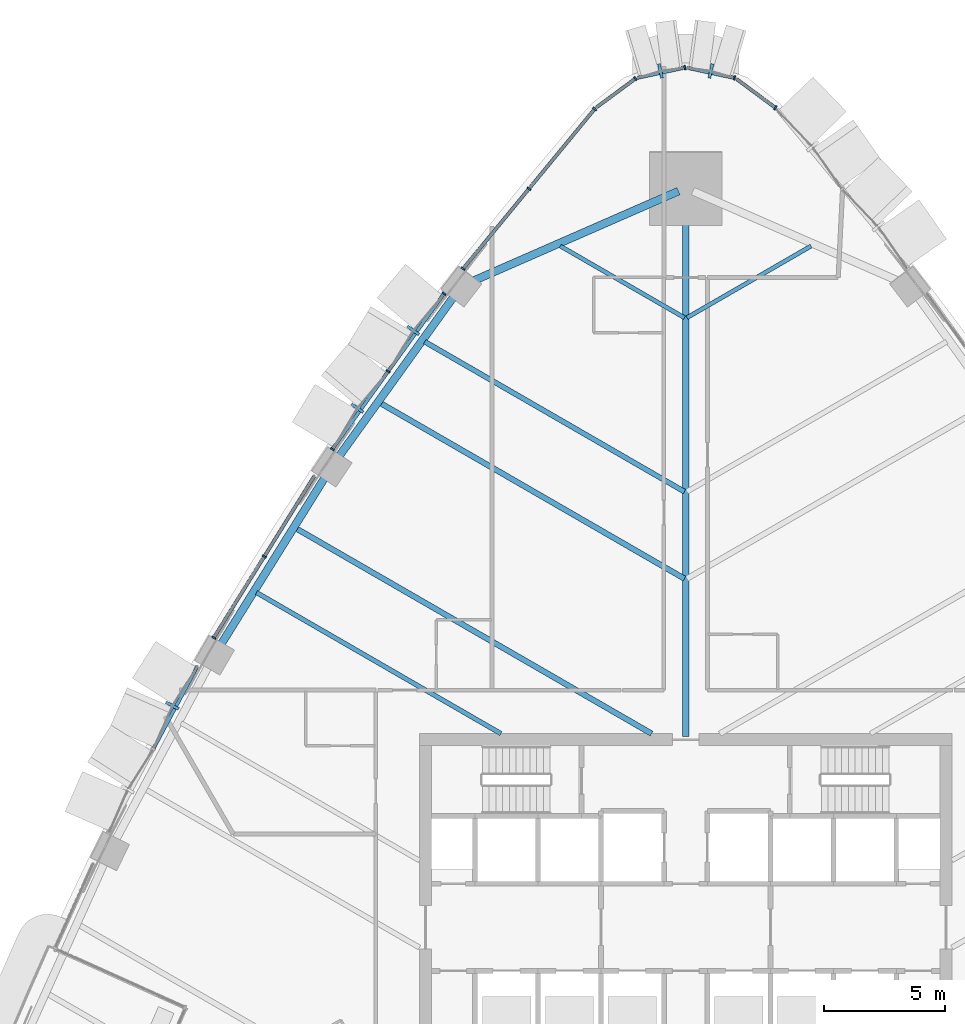
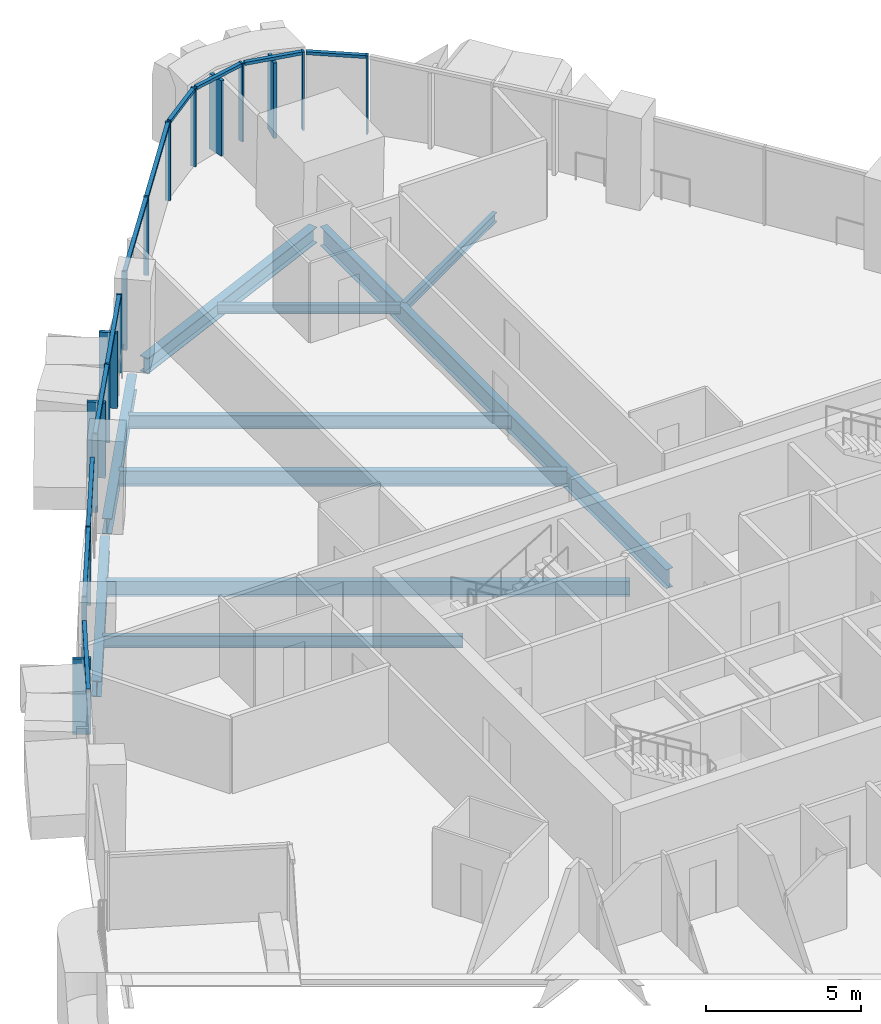
# One storey, part 6 of 22: 28 members, 10 beams, 8 elements without a shape of their own.
"""IFC4 building model written with IfcOpenShell, lengths in metres."""

from ifc_helpers import new_model, si_unit, direction, frame, origin, origin_2d, place, context, subcontext, project, spatial, rectangle, i_section, extrude, material, layer, layer_set, material_profile, profile_set, type_object, element, aggregate, save


model = new_model("IFC4")

# Units and contexts
model_context = context("Model", 3, precision=1e-05, world=origin(), true_north=direction((0.0, 1.0)))
body_context = subcontext(model_context, "Body", "Model", "MODEL_VIEW")
ifc_project = project(units=[si_unit("LENGTHUNIT", "METRE"), si_unit("AREAUNIT", "SQUARE_METRE"), si_unit("VOLUMEUNIT", "CUBIC_METRE"), si_unit("PLANEANGLEUNIT", "RADIAN"), si_unit("MASSUNIT", "GRAM", prefix="KILO")], contexts=[model_context])

# Site, building, storey
site_placement = place(None, origin())
site = spatial("IfcSite", under=ifc_project, at=site_placement, CompositionType="ELEMENT")
building_placement = place(site_placement, origin())
building = spatial("IfcBuilding", under=site, at=building_placement, Name="Sierra Prisma Convention Tower", CompositionType="ELEMENT")
storey_placement = place(building_placement, frame((0.0, 0.0, 73.89990234375)))
storey = spatial("IfcBuildingStorey", under=building, at=storey_placement, Name="L14", CompositionType="ELEMENT", Elevation=73.89990234375)

# Curtain wall, member
ifc_material_1 = material(Name="Aluminium and glass curtain wall", Category="aluminium")
ifc_layer_1 = layer(ifc_material_1, 0.179931640625)
ifc_layer_set_1 = layer_set([ifc_layer_1], Name="CW-2 Faceted crystal curtain wall")
curtain_wall_type_1 = type_object("IfcCurtainWallType", Name="CW-2 Faceted crystal curtain wall", PredefinedType="NOTDEFINED", material=ifc_layer_set_1)
curtain_wall_1_placement = place(storey_placement, origin())
curtain_wall_1 = element("IfcCurtainWall", 1, at=curtain_wall_1_placement, inside=storey, type_object=curtain_wall_type_1, Name="CW-2 N2 L14", PredefinedType="NOTDEFINED")
ifc_material_2 = material(Name="Aluminium 6063-T6 bronze anodised", Category="aluminium")
ifc_material_profile_1 = material_profile(ifc_material_2, rectangle(XDim=0.1201171875, YDim=0.60009765625, at=origin_2d()), Name="ALU RIDGE BLADE 120x600")
ifc_profile_set_1 = profile_set([ifc_material_profile_1], Name="Aluminium 6063-T6 bronze anodised")
member_type_1 = type_object("IfcMemberType", Name="CW hip bronze", PredefinedType="MULLION", material=ifc_profile_set_1)
member_1_placement = place(storey_placement, frame((1.041015625, 35.37451171875, 0.0), z_axis=(0.0, 0.0, 1.0), x_axis=(-0.97758007366, 0.210564003529, 0.0)))
member_1 = element("IfcMember", 2, at=member_1_placement, type_object=member_type_1, Name="CW-2 ridge N2.1", PredefinedType="MULLION", context=body_context, shape_type="SweptSolid", body=[
    extrude(rectangle(XDim=0.1201171875, YDim=0.60009765625, at=origin_2d()), origin(), (0.0, 0.0, 1.0), 2.97998046875),
])

curtain_wall_2_placement = place(storey_placement, origin())
curtain_wall_2 = element("IfcCurtainWall", 3, at=curtain_wall_2_placement, inside=storey, type_object=curtain_wall_type_1, Name="CW-2 N3 L14", PredefinedType="NOTDEFINED")
member_2_placement = place(storey_placement, frame((-1.041015625, 35.37451171875, 0.0), z_axis=(0.0, 0.0, 1.0), x_axis=(-0.97758007366, -0.210564003529, 0.0)))
member_2 = element("IfcMember", 4, at=member_2_placement, type_object=member_type_1, Name="CW-2 ridge N3.1", PredefinedType="MULLION", context=body_context, shape_type="SweptSolid", body=[
    extrude(rectangle(XDim=0.1201171875, YDim=0.60009765625, at=origin_2d()), origin(), (0.0, 0.0, 1.0), 2.97998046875),
])

# Curtain wall, members
curtain_wall_3_placement = place(storey_placement, origin())
curtain_wall_3 = element("IfcCurtainWall", 5, at=curtain_wall_3_placement, inside=storey, type_object=curtain_wall_type_1, Name="CW-2 NW2 L14", PredefinedType="NOTDEFINED")
member_3_placement = place(storey_placement, frame((-11.261474609375, 24.66064453125, 0.0), z_axis=(0.0, 0.0, 1.0), x_axis=(-0.583173599233, -0.812347556873, 0.0)))
member_3 = element("IfcMember", 6, at=member_3_placement, type_object=member_type_1, Name="CW-2 ridge NW2.1", PredefinedType="MULLION", context=body_context, shape_type="SweptSolid", body=[
    extrude(rectangle(XDim=0.1201171875, YDim=0.60009765625, at=origin_2d()), origin(), (0.0, 0.0, 1.0), 2.97998046875),
])
member_4_placement = place(storey_placement, frame((-13.56689453125, 21.44921875, 0.0), z_axis=(0.0, 0.0, 1.0), x_axis=(-0.583173599233, -0.812347556873, 0.0)))
member_4 = element("IfcMember", 7, at=member_4_placement, type_object=member_type_1, Name="CW-2 ridge NW2.2", PredefinedType="MULLION", context=body_context, shape_type="SweptSolid", body=[
    extrude(rectangle(XDim=0.1201171875, YDim=0.60009765625, at=origin_2d()), origin(), (0.0, 0.0, 1.0), 2.97998046875),
])

# Curtain wall, member
curtain_wall_4_placement = place(storey_placement, origin())
curtain_wall_4 = element("IfcCurtainWall", 8, at=curtain_wall_4_placement, inside=storey, type_object=curtain_wall_type_1, Name="CW-2 NW4 L14", PredefinedType="NOTDEFINED")
member_5_placement = place(storey_placement, frame((-21.210693359375, 9.15869140625, 0.0), z_axis=(0.0, 0.0, 1.0), x_axis=(-0.470524141145, -0.882387121733, 0.0)))
member_5 = element("IfcMember", 9, at=member_5_placement, type_object=member_type_1, Name="CW-2 ridge NW4.1", PredefinedType="MULLION", context=body_context, shape_type="SweptSolid", body=[
    extrude(rectangle(XDim=0.1201171875, YDim=0.60009765625, at=origin_2d()), origin(), (0.0, 0.0, 1.0), 2.97998046875),
])

ifc_material_3 = material(Name="Aluminium and glass curtain wall", Category="aluminium")
ifc_layer_2 = layer(ifc_material_3, 0.179931640625)
ifc_layer_set_2 = layer_set([ifc_layer_2], Name="CW-1 Plain shaft curtain wall")
curtain_wall_type_2 = type_object("IfcCurtainWallType", Name="CW-1 Plain shaft curtain wall", PredefinedType="NOTDEFINED", material=ifc_layer_set_2)
curtain_wall_5_placement = place(storey_placement, origin())
curtain_wall_5 = element("IfcCurtainWall", 10, at=curtain_wall_5_placement, inside=storey, type_object=curtain_wall_type_2, Name="CW-1 N1 L14", PredefinedType="NOTDEFINED")
ifc_material_4 = material(Name="Aluminium 6063-T6 bronze anodised", Category="aluminium")
ifc_material_profile_2 = material_profile(ifc_material_4, rectangle(XDim=0.179931640625, YDim=0.070068359375, at=origin_2d()), Name="ALU MULLION 70x180")
ifc_profile_set_2 = profile_set([ifc_material_profile_2], Name="Aluminium 6063-T6 bronze anodised")
member_type_2 = type_object("IfcMemberType", Name="CW mullion bronze", PredefinedType="MULLION", material=ifc_profile_set_2)
member_6_placement = place(storey_placement, frame((3.70751953125, 33.853271484375, 0.0), z_axis=(0.0, 0.0, 1.0), x_axis=(-0.594348737591, -0.804207422326, 0.0)))
member_6 = element("IfcMember", 11, at=member_6_placement, type_object=member_type_2, Name="CW-1 mullion N1.1", PredefinedType="MULLION", context=body_context, shape_type="SweptSolid", body=[
    extrude(rectangle(XDim=0.179931640625, YDim=0.070068359375, at=origin_2d()), origin(), (0.0, 0.0, 1.0), 3.10009765625),
])

# Member
member_7_placement = place(storey_placement, frame((2.015380859375, 35.0859375, 0.0), z_axis=(0.0, 0.0, 1.0), x_axis=(-0.210564003529, -0.97758007366, 0.0)))
member_7 = element("IfcMember", 12, at=member_7_placement, type_object=member_type_2, Name="CW-1 mullion N2.1", PredefinedType="MULLION", context=body_context, shape_type="SweptSolid", body=[
    extrude(rectangle(XDim=0.179931640625, YDim=0.070068359375, at=origin_2d()), origin(), (0.0, 0.0, 1.0), 3.10009765625),
])

member_8_placement = place(storey_placement, frame((-0.0341796875, 35.5126953125, 0.0), z_axis=(0.0, 0.0, 1.0), x_axis=(0.210564003529, -0.97758007366, 0.0)))
member_8 = element("IfcMember", 13, at=member_8_placement, type_object=member_type_2, Name="CW-1 mullion N3.1", PredefinedType="MULLION", context=body_context, shape_type="SweptSolid", body=[
    extrude(rectangle(XDim=0.179931640625, YDim=0.070068359375, at=origin_2d()), origin(), (0.0, 0.0, 1.0), 3.10009765625),
])

# Curtain wall, member
curtain_wall_6_placement = place(storey_placement, origin())
curtain_wall_6 = element("IfcCurtainWall", 14, at=curtain_wall_6_placement, inside=storey, type_object=curtain_wall_type_2, Name="CW-1 N4 L14", PredefinedType="NOTDEFINED")
member_9_placement = place(storey_placement, frame((-2.07763671875, 35.057861328125, 0.0), z_axis=(0.0, 0.0, 1.0), x_axis=(0.594348737591, -0.804207422326, 0.0)))
member_9 = element("IfcMember", 15, at=member_9_placement, type_object=member_type_2, Name="CW-1 mullion N4.1", PredefinedType="MULLION", context=body_context, shape_type="SweptSolid", body=[
    extrude(rectangle(XDim=0.179931640625, YDim=0.070068359375, at=origin_2d()), origin(), (0.0, 0.0, 1.0), 3.10009765625),
])

# Curtain wall, members
curtain_wall_7_placement = place(storey_placement, origin())
curtain_wall_7 = element("IfcCurtainWall", 16, at=curtain_wall_7_placement, inside=storey, type_object=curtain_wall_type_2, Name="CW-1 NW1 L14", PredefinedType="NOTDEFINED")
member_10_placement = place(storey_placement, frame((-3.758056640625, 33.805419921875, 0.0), z_axis=(0.0, 0.0, 1.0), x_axis=(0.771880536077, -0.635767597496, 0.0)))
member_10 = element("IfcMember", 17, at=member_10_placement, type_object=member_type_2, Name="CW-1 mullion NW1.1", PredefinedType="MULLION", context=body_context, shape_type="SweptSolid", body=[
    extrude(rectangle(XDim=0.179931640625, YDim=0.070068359375, at=origin_2d()), origin(), (0.0, 0.0, 1.0), 3.10009765625),
])
member_11_placement = place(storey_placement, frame((-6.4765625, 30.504638671875, 0.0), z_axis=(0.0, 0.0, 1.0), x_axis=(0.771880536077, -0.635767597496, 0.0)))
member_11 = element("IfcMember", 18, at=member_11_placement, type_object=member_type_2, Name="CW-1 mullion NW1.2", PredefinedType="MULLION", context=body_context, shape_type="SweptSolid", body=[
    extrude(rectangle(XDim=0.179931640625, YDim=0.070068359375, at=origin_2d()), origin(), (0.0, 0.0, 1.0), 3.10009765625),
])
member_12_placement = place(storey_placement, frame((-9.1953125, 27.2041015625, 0.0), z_axis=(0.0, 0.0, 1.0), x_axis=(0.771880536077, -0.635767597496, 0.0)))
member_12 = element("IfcMember", 19, at=member_12_placement, type_object=member_type_2, Name="CW-1 mullion NW1.3", PredefinedType="MULLION", context=body_context, shape_type="SweptSolid", body=[
    extrude(rectangle(XDim=0.179931640625, YDim=0.070068359375, at=origin_2d()), origin(), (0.0, 0.0, 1.0), 3.10009765625),
])

# Member
member_13_placement = place(storey_placement, frame((-9.984619140625, 26.17724609375, 0.0), z_axis=(0.0, 0.0, 1.0), x_axis=(0.812347556873, -0.583173599233, 0.0)))
member_13 = element("IfcMember", 20, at=member_13_placement, type_object=member_type_2, Name="CW-1 mullion NW2.1", PredefinedType="MULLION", context=body_context, shape_type="SweptSolid", body=[
    extrude(rectangle(XDim=0.179931640625, YDim=0.070068359375, at=origin_2d()), origin(), (0.0, 0.0, 1.0), 3.10009765625),
])

member_14_placement = place(storey_placement, frame((-12.2900390625, 22.9658203125, 0.0), z_axis=(0.0, 0.0, 1.0), x_axis=(0.812347556873, -0.583173599233, 0.0)))
member_14 = element("IfcMember", 21, at=member_14_placement, type_object=member_type_2, Name="CW-1 mullion NW2.2", PredefinedType="MULLION", context=body_context, shape_type="SweptSolid", body=[
    extrude(rectangle(XDim=0.179931640625, YDim=0.070068359375, at=origin_2d()), origin(), (0.0, 0.0, 1.0), 3.10009765625),
])

member_15_placement = place(storey_placement, frame((-14.595703125, 19.754150390625, 0.0), z_axis=(0.0, 0.0, 1.0), x_axis=(0.812347556873, -0.583173599233, 0.0)))
member_15 = element("IfcMember", 22, at=member_15_placement, type_object=member_type_2, Name="CW-1 mullion NW2.3", PredefinedType="MULLION", context=body_context, shape_type="SweptSolid", body=[
    extrude(rectangle(XDim=0.179931640625, YDim=0.070068359375, at=origin_2d()), origin(), (0.0, 0.0, 1.0), 3.10009765625),
])

# Curtain wall, members
curtain_wall_8_placement = place(storey_placement, origin())
curtain_wall_8 = element("IfcCurtainWall", 23, at=curtain_wall_8_placement, inside=storey, type_object=curtain_wall_type_2, Name="CW-1 NW3 L14", PredefinedType="NOTDEFINED")
member_16_placement = place(storey_placement, frame((-17.40478515625, 15.3193359375, 0.0), z_axis=(0.0, 0.0, 1.0), x_axis=(0.849237235888, -0.528011474479, 0.0)))
member_16 = element("IfcMember", 24, at=member_16_placement, type_object=member_type_2, Name="CW-1 mullion NW3.2", PredefinedType="MULLION", context=body_context, shape_type="SweptSolid", body=[
    extrude(rectangle(XDim=0.179931640625, YDim=0.070068359375, at=origin_2d()), origin(), (0.0, 0.0, 1.0), 3.10009765625),
])
member_17_placement = place(storey_placement, frame((-19.491455078125, 11.96337890625, 0.0), z_axis=(0.0, 0.0, 1.0), x_axis=(0.849237235888, -0.528011474479, 0.0)))
member_17 = element("IfcMember", 25, at=member_17_placement, type_object=member_type_2, Name="CW-1 mullion NW3.3", PredefinedType="MULLION", context=body_context, shape_type="SweptSolid", body=[
    extrude(rectangle(XDim=0.179931640625, YDim=0.070068359375, at=origin_2d()), origin(), (0.0, 0.0, 1.0), 3.10009765625),
])

# Member
ifc_material_5 = material(Name="Aluminium 6063-T6 bronze anodised", Category="aluminium")
ifc_material_profile_3 = material_profile(ifc_material_5, rectangle(XDim=0.139892578125, YDim=0.1201171875, at=origin_2d()), Name="ALU TRANSOM 120x140")
ifc_profile_set_3 = profile_set([ifc_material_profile_3], Name="Aluminium 6063-T6 bronze anodised")
member_type_3 = type_object("IfcMemberType", Name="CW transom bronze", PredefinedType="USERDEFINED", material=ifc_profile_set_3)
member_18_placement = place(storey_placement, frame((3.679443359375, 33.8740234375, 3.0400390625), z_axis=(-0.804217631688, 0.594334923155, 0.0), x_axis=(-0.594334923155, -0.804217631688, 0.0)))
member_18 = element("IfcMember", 26, at=member_18_placement, type_object=member_type_3, Name="CW-1 transom N1.1", ObjectType="TRANSOM", PredefinedType="USERDEFINED", context=body_context, shape_type="SweptSolid", body=[
    extrude(rectangle(XDim=0.139892578125, YDim=0.1201171875, at=origin_2d()), origin(), (0.0, 0.0, 1.0), 1.95654296875),
])

aggregate(curtain_wall_5, [member_6, member_18])

member_19_placement = place(storey_placement, frame((1.981201171875, 35.09326171875, 3.0400390625), z_axis=(-0.97756992637, 0.210611108579, 0.0), x_axis=(-0.210611108579, -0.97756992637, 0.0)))
member_19 = element("IfcMember", 27, at=member_19_placement, type_object=member_type_3, Name="CW-1 transom N2.1", ObjectType="TRANSOM", PredefinedType="USERDEFINED", context=body_context, shape_type="SweptSolid", body=[
    extrude(rectangle(XDim=0.139892578125, YDim=0.1201171875, at=origin_2d()), origin(), (0.0, 0.0, 1.0), 1.956787109375),
])

aggregate(curtain_wall_1, [member_7, member_19, member_1])

member_20_placement = place(storey_placement, frame((-0.068359375, 35.50537109375, 3.0400390625), z_axis=(-0.97756992637, -0.210611108579, 0.0), x_axis=(0.210611108579, -0.97756992637, 0.0)))
member_20 = element("IfcMember", 28, at=member_20_placement, type_object=member_type_3, Name="CW-1 transom N3.1", ObjectType="TRANSOM", PredefinedType="USERDEFINED", context=body_context, shape_type="SweptSolid", body=[
    extrude(rectangle(XDim=0.139892578125, YDim=0.1201171875, at=origin_2d()), origin(), (0.0, 0.0, 1.0), 1.956787109375),
])

aggregate(curtain_wall_2, [member_8, member_20, member_2])

member_21_placement = place(storey_placement, frame((-2.10595703125, 35.036865234375, 3.0400390625), z_axis=(-0.804217631688, -0.594334923155, 0.0), x_axis=(0.594334923155, -0.804217631688, 0.0)))
member_21 = element("IfcMember", 29, at=member_21_placement, type_object=member_type_3, Name="CW-1 transom N4.1", ObjectType="TRANSOM", PredefinedType="USERDEFINED", context=body_context, shape_type="SweptSolid", body=[
    extrude(rectangle(XDim=0.139892578125, YDim=0.1201171875, at=origin_2d()), origin(), (0.0, 0.0, 1.0), 1.95654296875),
])

aggregate(curtain_wall_6, [member_9, member_21])

member_22_placement = place(storey_placement, frame((-3.7802734375, 33.7783203125, 3.0400390625), z_axis=(-0.635766253389, -0.771881643163, 0.0), x_axis=(0.771881643163, -0.635766253389, 0.0)))
member_22 = element("IfcMember", 30, at=member_22_placement, type_object=member_type_3, Name="CW-1 transom NW1.1", ObjectType="TRANSOM", PredefinedType="USERDEFINED", context=body_context, shape_type="SweptSolid", body=[
    extrude(rectangle(XDim=0.139892578125, YDim=0.1201171875, at=origin_2d()), origin(), (0.0, 0.0, 1.0), 4.2060546875),
])

member_23_placement = place(storey_placement, frame((-6.498779296875, 30.477783203125, 3.0400390625), z_axis=(-0.635772351361, -0.771876620481, 0.0), x_axis=(0.771876620481, -0.635772351361, 0.0)))
member_23 = element("IfcMember", 31, at=member_23_placement, type_object=member_type_3, Name="CW-1 transom NW1.2", ObjectType="TRANSOM", PredefinedType="USERDEFINED", context=body_context, shape_type="SweptSolid", body=[
    extrude(rectangle(XDim=0.139892578125, YDim=0.1201171875, at=origin_2d()), origin(), (0.0, 0.0, 1.0), 4.206298828125),
])

aggregate(curtain_wall_7, [member_10, member_11, member_12, member_22, member_23])

member_24_placement = place(storey_placement, frame((-10.0048828125, 26.14892578125, 3.0400390625), z_axis=(-0.583192955568, -0.812333660866, 0.0), x_axis=(0.812333660866, -0.583192955568, 0.0)))
member_24 = element("IfcMember", 32, at=member_24_placement, type_object=member_type_3, Name="CW-1 transom NW2.1", ObjectType="TRANSOM", PredefinedType="USERDEFINED", context=body_context, shape_type="SweptSolid", body=[
    extrude(rectangle(XDim=0.139892578125, YDim=0.1201171875, at=origin_2d()), origin(), (0.0, 0.0, 1.0), 3.883544921875),
])

member_25_placement = place(storey_placement, frame((-12.310546875, 22.937255859375, 3.0400390625), z_axis=(-0.583181252984, -0.812342062291, 0.0), x_axis=(0.812342062291, -0.583181252984, 0.0)))
member_25 = element("IfcMember", 33, at=member_25_placement, type_object=member_type_3, Name="CW-1 transom NW2.2", ObjectType="TRANSOM", PredefinedType="USERDEFINED", context=body_context, shape_type="SweptSolid", body=[
    extrude(rectangle(XDim=0.139892578125, YDim=0.1201171875, at=origin_2d()), origin(), (0.0, 0.0, 1.0), 3.88330078125),
])

aggregate(curtain_wall_3, [member_13, member_14, member_15, member_24, member_3, member_25, member_4])

member_26_placement = place(storey_placement, frame((-15.3369140625, 18.6455078125, 3.0400390625), z_axis=(-0.528018721012, -0.849232730328, 0.0), x_axis=(0.849232730328, -0.528018721012, 0.0)))
member_26 = element("IfcMember", 34, at=member_26_placement, type_object=member_type_3, Name="CW-1 transom NW3.1", ObjectType="TRANSOM", PredefinedType="USERDEFINED", context=body_context, shape_type="SweptSolid", body=[
    extrude(rectangle(XDim=0.139892578125, YDim=0.1201171875, at=origin_2d()), origin(), (0.0, 0.0, 1.0), 3.881591796875),
])

member_27_placement = place(storey_placement, frame((-17.42333984375, 15.289794921875, 3.0400390625), z_axis=(-0.52799051862, -0.849250264791, 0.0), x_axis=(0.849250264791, -0.52799051862, 0.0)))
member_27 = element("IfcMember", 35, at=member_27_placement, type_object=member_type_3, Name="CW-1 transom NW3.2", ObjectType="TRANSOM", PredefinedType="USERDEFINED", context=body_context, shape_type="SweptSolid", body=[
    extrude(rectangle(XDim=0.139892578125, YDim=0.1201171875, at=origin_2d()), origin(), (0.0, 0.0, 1.0), 3.8818359375),
])

aggregate(curtain_wall_8, [member_16, member_17, member_26, member_27])

member_28_placement = place(storey_placement, frame((-20.17041015625, 10.787353515625, 3.0400390625), z_axis=(-0.470529037547, -0.882384510757, 0.0), x_axis=(0.882384510757, -0.470529037547, 0.0)))
member_28 = element("IfcMember", 36, at=member_28_placement, type_object=member_type_3, Name="CW-1 transom NW4.1", ObjectType="TRANSOM", PredefinedType="USERDEFINED", context=body_context, shape_type="SweptSolid", body=[
    extrude(rectangle(XDim=0.139892578125, YDim=0.1201171875, at=origin_2d()), origin(), (0.0, 0.0, 1.0), 3.85302734375),
])

aggregate(curtain_wall_4, [member_28, member_5])

# Beams
ifc_material_6 = material(Name="Steel ASTM A992 Gr 50", Category="steel")
ifc_material_profile_4 = material_profile(ifc_material_6, i_section(OverallWidth=0.172119140625, OverallDepth=0.35791015625, WebThickness=0.0078125, FlangeThickness=0.01318359375, at=origin_2d()), Name="W360x57")
ifc_profile_set_4 = profile_set([ifc_material_profile_4], Name="Steel ASTM A992 Gr 50")
beam_type_1 = type_object("IfcBeamType", Name="Floor joist W360x57", PredefinedType="JOIST", material=ifc_profile_set_4)
for number, where, z_axis, x_axis, name in (
    (37, (5.17919921875, 28.14208984375, -0.328857421875), (-0.866018681408, -0.500011643316, 0.0), (0.500011643316, -0.866018681408, 0.0), "Floor joist L14 NE16"),
    (38, (-5.17919921875, 28.14208984375, -0.328857421875), (0.866018681408, -0.500011643316, 0.0), (0.500011643316, 0.866018681408, 0.0), "Floor joist L14 NW02"),
):
    element("IfcBeam", number, at=place(storey_placement, frame(where, z_axis=z_axis, x_axis=x_axis)), inside=storey, type_object=beam_type_1, Name=name, PredefinedType="JOIST", context=body_context, shape_type="SweptSolid", body=[
        extrude(i_section(OverallWidth=0.172119140625, OverallDepth=0.35791015625, WebThickness=0.0078125, FlangeThickness=0.01318359375, at=origin_2d()), origin(), (0.0, 0.0, 1.0), 5.919189453125),
    ])
ifc_material_7 = material(Name="Steel ASTM A992 Gr 50", Category="steel")
ifc_material_profile_5 = material_profile(ifc_material_7, i_section(OverallWidth=0.18994140625, OverallDepth=0.45703125, WebThickness=0.009033203125, FlangeThickness=0.014404296875, at=origin_2d()), Name="W460x74")
ifc_profile_set_5 = profile_set([ifc_material_profile_5], Name="Steel ASTM A992 Gr 50")
beam_type_2 = type_object("IfcBeamType", Name="Floor joist W460x74", PredefinedType="JOIST", material=ifc_profile_set_5)
beam_1_placement = place(storey_placement, frame((-17.7294921875, 13.8291015625, -0.37841796875), z_axis=(0.866028308951, -0.49999496807, 0.0), x_axis=(0.49999496807, 0.866028308951, 0.0)))
element("IfcBeam", 39, at=beam_1_placement, inside=storey, type_object=beam_type_2, Name="Floor joist L14 NW08", PredefinedType="JOIST", context=body_context, shape_type="SweptSolid", body=[
    extrude(i_section(OverallWidth=0.18994140625, OverallDepth=0.45703125, WebThickness=0.009033203125, FlangeThickness=0.014404296875, at=origin_2d()), origin(), (0.0, 0.0, 1.0), 11.658203125),
])
ifc_material_8 = material(Name="Steel ASTM A992 Gr 50", Category="steel")
ifc_material_profile_6 = material_profile(ifc_material_8, i_section(OverallWidth=0.208984375, OverallDepth=0.532958984375, WebThickness=0.01025390625, FlangeThickness=0.015625, at=origin_2d()), Name="W530x92")
ifc_profile_set_6 = profile_set([ifc_material_profile_6], Name="Steel ASTM A992 Gr 50")
beam_type_3 = type_object("IfcBeamType", Name="Floor joist W530x92", PredefinedType="JOIST", material=ifc_profile_set_6)
beam_2_placement = place(storey_placement, frame((-10.780517578125, 24.189697265625, -0.41650390625), z_axis=(0.866023447946, -0.500003387596, 0.0), x_axis=(0.500003387596, 0.866023447946, 0.0)))
element("IfcBeam", 40, at=beam_2_placement, inside=storey, type_object=beam_type_3, Name="Floor joist L14 NW04", PredefinedType="JOIST", context=body_context, shape_type="SweptSolid", body=[
    extrude(i_section(OverallWidth=0.208984375, OverallDepth=0.532958984375, WebThickness=0.01025390625, FlangeThickness=0.015625, at=origin_2d()), origin(), (0.0, 0.0, 1.0), 12.38720703125),
])
ifc_material_9 = material(Name="Steel ASTM A992 Gr 50", Category="steel")
ifc_material_profile_7 = material_profile(ifc_material_9, i_section(OverallWidth=0.22802734375, OverallDepth=0.60302734375, WebThickness=0.010498046875, FlangeThickness=0.014892578125, at=origin_2d()), Name="W610x101")
ifc_profile_set_7 = profile_set([ifc_material_profile_7], Name="Steel ASTM A992 Gr 50")
beam_type_4 = type_object("IfcBeamType", Name="Floor joist W610x101", PredefinedType="JOIST", material=ifc_profile_set_7)
beam_3_placement = place(storey_placement, frame((-12.604736328125, 21.64990234375, -0.451416015625), z_axis=(0.866023449274, -0.500003385295, 0.0), x_axis=(0.500003385295, 0.866023449274, 0.0)))
element("IfcBeam", 41, at=beam_3_placement, inside=storey, type_object=beam_type_4, Name="Floor joist L14 NW05", PredefinedType="JOIST", context=body_context, shape_type="SweptSolid", body=[
    extrude(i_section(OverallWidth=0.22802734375, OverallDepth=0.60302734375, WebThickness=0.010498046875, FlangeThickness=0.014892578125, at=origin_2d()), origin(), (0.0, 0.0, 1.0), 14.49365234375),
])
beam_4_placement = place(storey_placement, frame((-16.084228515625, 16.472412109375, -0.451416015625), z_axis=(0.866027712004, -0.499996002024, 0.0), x_axis=(0.499996002024, 0.866027712004, 0.0)))
element("IfcBeam", 42, at=beam_4_placement, inside=storey, type_object=beam_type_4, Name="Floor joist L14 NW07", PredefinedType="JOIST", context=body_context, shape_type="SweptSolid", body=[
    extrude(i_section(OverallWidth=0.22802734375, OverallDepth=0.60302734375, WebThickness=0.010498046875, FlangeThickness=0.014892578125, at=origin_2d()), origin(), (0.0, 0.0, 1.0), 16.945068359375),
])
ifc_material_10 = material(Name="Steel ASTM A992 Gr 50", Category="steel")
ifc_material_profile_8 = material_profile(ifc_material_10, i_section(OverallWidth=0.264892578125, OverallDepth=0.7529296875, WebThickness=0.01318359375, FlangeThickness=0.01708984375, at=origin_2d()), Name="W760x147")
ifc_profile_set_8 = profile_set([ifc_material_profile_8], Name="Steel ASTM A992 Gr 50")
beam_type_5 = type_object("IfcBeamType", Name="Radial girder W760x147", PredefinedType="BEAM", material=ifc_profile_set_8)
beam_5_placement = place(storey_placement, frame((0.0, 30.241455078125, -0.5263671875), z_axis=(0.0, -1.0, 0.0), x_axis=(1.0, 0.0, 0.0)))
element("IfcBeam", 43, at=beam_5_placement, inside=storey, type_object=beam_type_5, Name="Radial girder L14 N", PredefinedType="BEAM", context=body_context, shape_type="SweptSolid", body=[
    extrude(i_section(OverallWidth=0.264892578125, OverallDepth=0.7529296875, WebThickness=0.01318359375, FlangeThickness=0.01708984375, at=origin_2d()), origin(), (0.0, 0.0, 1.0), 22.361572265625),
])
ifc_material_11 = material(Name="Steel ASTM A992 Gr 50", Category="steel")
ifc_material_profile_9 = material_profile(ifc_material_11, i_section(OverallWidth=0.324951171875, OverallDepth=0.615966796875, WebThickness=0.013916015625, FlangeThickness=0.021484375, at=origin_2d()), Name="W610x174")
ifc_profile_set_9 = profile_set([ifc_material_profile_9], Name="Steel ASTM A992 Gr 50")
beam_type_6 = type_object("IfcBeamType", Name="Spandrel beam W610x174", PredefinedType="BEAM", material=ifc_profile_set_9)
beam_6_placement = place(storey_placement, frame((-0.300048828125, 30.41015625, -0.4580078125), z_axis=(-0.916153083768, -0.400828550758, 0.0), x_axis=(0.400828550758, -0.916153083768, 0.0)))
element("IfcBeam", 44, at=beam_6_placement, inside=storey, type_object=beam_type_6, Name="Spandrel L14-13", PredefinedType="BEAM", context=body_context, shape_type="SweptSolid", body=[
    extrude(i_section(OverallWidth=0.324951171875, OverallDepth=0.615966796875, WebThickness=0.013916015625, FlangeThickness=0.021484375, at=origin_2d()), origin(), (0.0, 0.0, 1.0), 9.2265625),
])
for number, where, z_axis, x_axis, name in (
    (45, (-9.55029296875, 26.095458984375, -0.4580078125), (-0.583397830375, -0.812186537387, 0.0), (0.812186537387, -0.583397830375, 0.0), "Spandrel L14-14"),
    (46, (-14.877197265625, 18.625, -0.4580078125), (-0.528389954534, -0.849001799732, 0.0), (0.849001799732, -0.528389954534, 0.0), "Spandrel L14-15"),
):
    element("IfcBeam", number, at=place(storey_placement, frame(where, z_axis=z_axis, x_axis=x_axis)), inside=storey, type_object=beam_type_6, Name=name, PredefinedType="BEAM", context=body_context, shape_type="SweptSolid", body=[
        extrude(i_section(OverallWidth=0.324951171875, OverallDepth=0.615966796875, WebThickness=0.013916015625, FlangeThickness=0.021484375, at=origin_2d()), origin(), (0.0, 0.0, 1.0), 8.215576171875),
    ])

save(model, "model.ifc")
